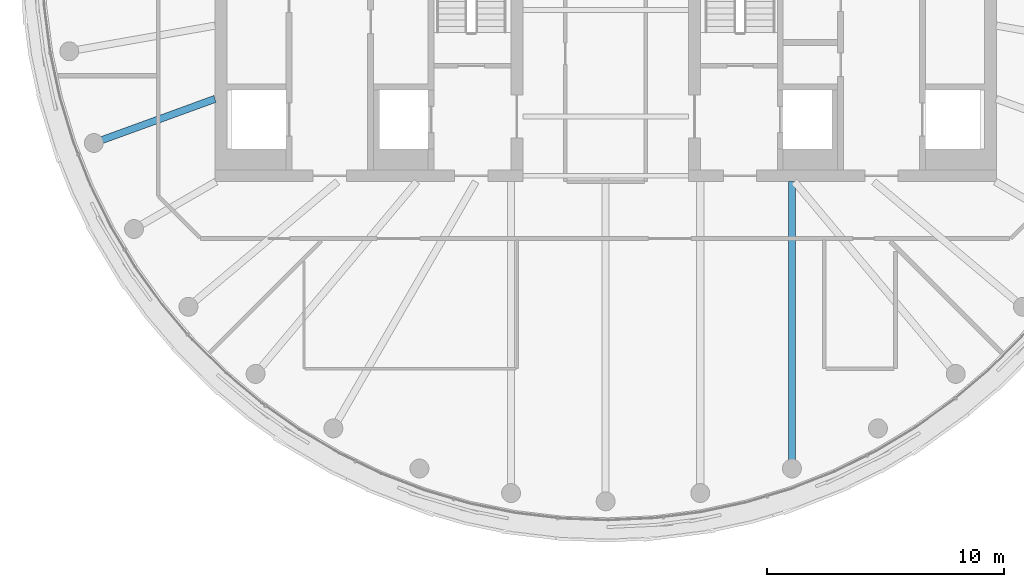
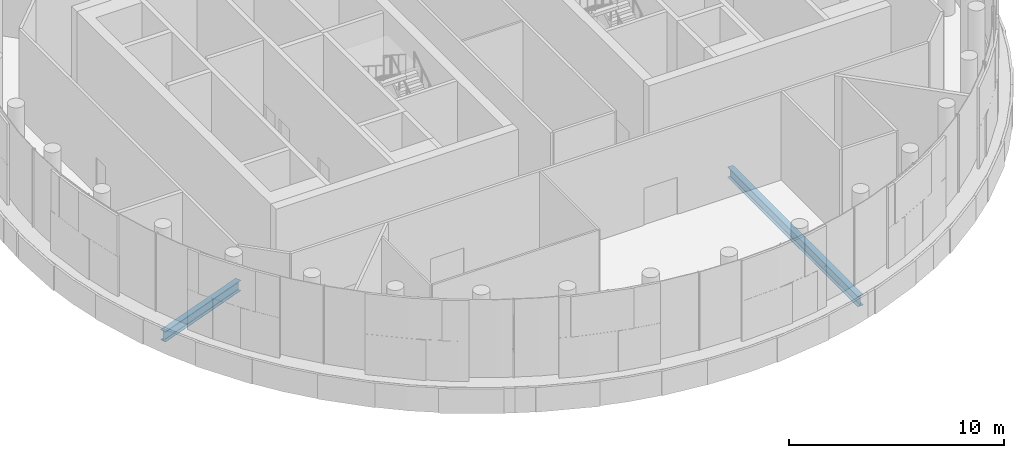
# One storey, part 3 of 18: 2 beams.
"""IFC4 building model written with IfcOpenShell, lengths in metres."""

from ifc_helpers import new_model, si_unit, direction, frame, origin, origin_2d, place, context, subcontext, project, spatial, i_section, extrude, material, material_profile, profile_set, type_object, element, save


model = new_model("IFC4")

# Units and contexts
model_context = context("Model", 3, precision=1e-05, world=origin(), true_north=direction((0.0, 1.0)))
body_context = subcontext(model_context, "Body", "Model", "MODEL_VIEW")
ifc_project = project(units=[si_unit("LENGTHUNIT", "METRE"), si_unit("AREAUNIT", "SQUARE_METRE"), si_unit("VOLUMEUNIT", "CUBIC_METRE"), si_unit("PLANEANGLEUNIT", "RADIAN"), si_unit("MASSUNIT", "GRAM", prefix="KILO")], contexts=[model_context])

# Site, building, storey
site_placement = place(None, origin())
site = spatial("IfcSite", under=ifc_project, at=site_placement, CompositionType="ELEMENT")
building_placement = place(site_placement, origin())
building = spatial("IfcBuilding", under=site, at=building_placement, Name="Tamarind Cross Interchange Tower", CompositionType="ELEMENT")
storey_placement = place(building_placement, frame((0.0, 0.0, 299.39990234375)))
storey = spatial("IfcBuildingStorey", under=building, at=storey_placement, Name="L74", CompositionType="ELEMENT", Elevation=299.39990234375)

# Beams
ifc_material = material(Name="Steel Q355B", Category="steel")
ifc_material_profile = material_profile(ifc_material, i_section(OverallWidth=0.302001953125, OverallDepth=0.593994140625, WebThickness=0.013916015625, FlangeThickness=0.02294921875, FilletRadius=0.01806640625, at=origin_2d()), Name="HM 594x302x14x23")
ifc_profile_set = profile_set([ifc_material_profile], Name="Steel Q355B")
beam_type = type_object("IfcBeamType", Name="Composite beam HM 594x302x14x23 Q355B", PredefinedType="BEAM", material=ifc_profile_set)
beam_1_placement = place(storey_placement, frame((-21.613037109375, -7.866455078125, -0.546875), z_axis=(0.939701685589, 0.341995236956, 0.0), x_axis=(-0.341995236956, 0.939701685589, 0.0)))
element("IfcBeam", 1, at=beam_1_placement, inside=storey, type_object=beam_type, Name="Beam HH20", PredefinedType="BEAM", context=body_context, shape_type="SweptSolid", body=[
    extrude(i_section(OverallWidth=0.302001953125, OverallDepth=0.593994140625, WebThickness=0.013916015625, FlangeThickness=0.02294921875, FilletRadius=0.01806640625, at=origin_2d()), origin(), (0.0, 0.0, 1.0), 5.441162109375),
])
beam_2_placement = place(storey_placement, frame((7.866455078125, -21.613037109375, -0.546875), z_axis=(0.0, 1.0, 0.0), x_axis=(-1.0, 0.0, 0.0)))
element("IfcBeam", 2, at=beam_2_placement, inside=storey, type_object=beam_type, Name="Beam HH29", PredefinedType="BEAM", context=body_context, shape_type="SweptSolid", body=[
    extrude(i_section(OverallWidth=0.302001953125, OverallDepth=0.593994140625, WebThickness=0.013916015625, FlangeThickness=0.02294921875, FilletRadius=0.01806640625, at=origin_2d()), origin(), (0.0, 0.0, 1.0), 12.113037109375),
])

save(model, "model.ifc")
